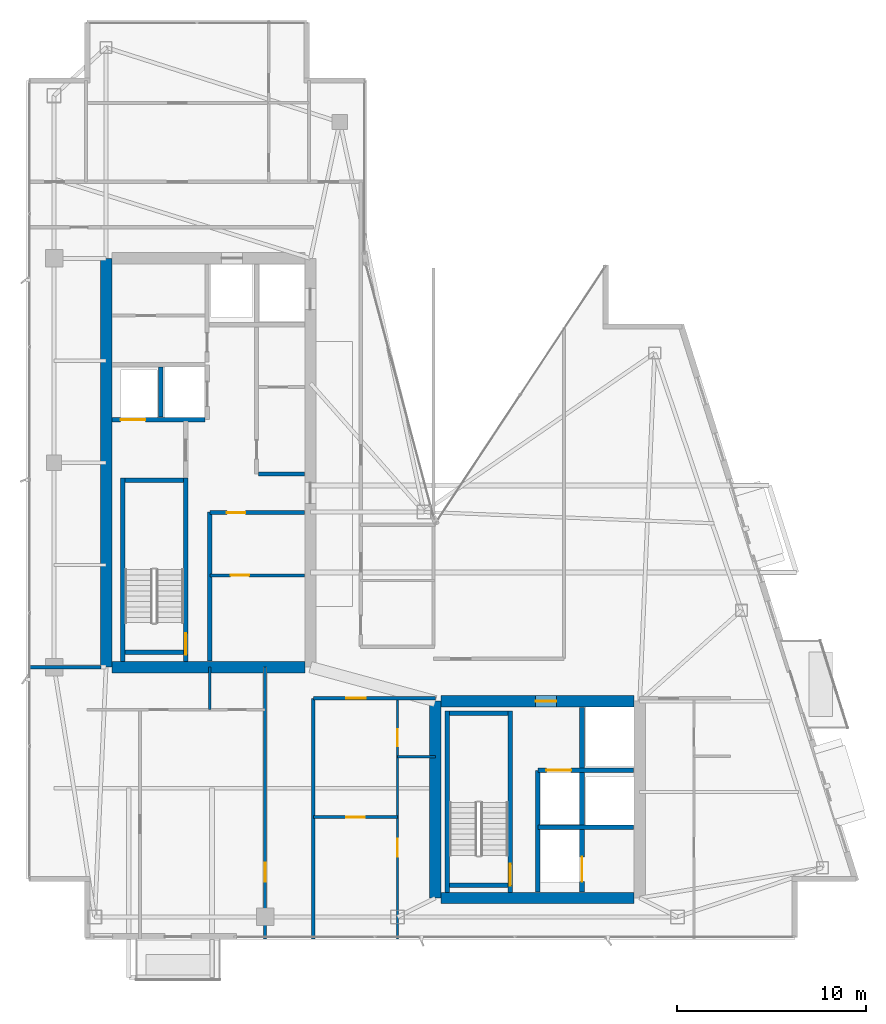
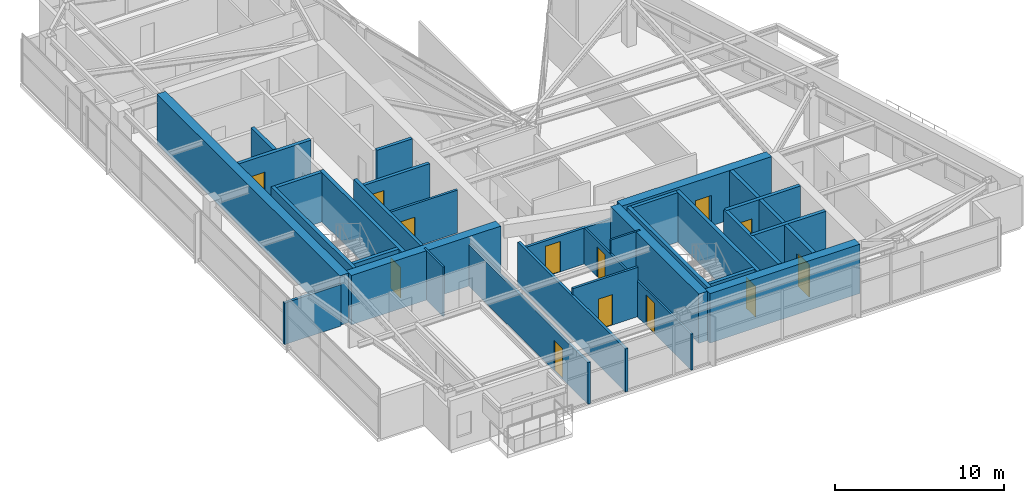
# One storey, part 23 of 28: 31 walls, 13 doors, 13 openings.
"""IFC4 building model written with IfcOpenShell, lengths in metres."""

from ifc_helpers import new_model, si_unit, direction, frame, frame_2d, origin, place, context, subcontext, project, spatial, rectangle, extrude, material, layer, layer_set, type_object, element, fill, save


model = new_model("IFC4")

# Units and contexts
model_context = context("Model", 3, precision=1e-05, world=origin(), true_north=direction((0.0, 1.0)))
body_context = subcontext(model_context, "Body", "Model", "MODEL_VIEW")
ifc_project = project(units=[si_unit("LENGTHUNIT", "METRE"), si_unit("AREAUNIT", "SQUARE_METRE"), si_unit("VOLUMEUNIT", "CUBIC_METRE"), si_unit("PLANEANGLEUNIT", "RADIAN"), si_unit("MASSUNIT", "GRAM", prefix="KILO")], contexts=[model_context])

# Site, building, storey
site_placement = place(None, origin())
site = spatial("IfcSite", under=ifc_project, at=site_placement, CompositionType="ELEMENT")
building_placement = place(site_placement, origin())
building = spatial("IfcBuilding", under=site, at=building_placement, Name="Calvorn Quay Hotel", CompositionType="ELEMENT")
storey_placement = place(building_placement, frame((0.0, 0.0, 274.89990234375)))
storey = spatial("IfcBuildingStorey", under=building, at=storey_placement, Name="L68", CompositionType="ELEMENT", Elevation=274.89990234375)

# Walls
ifc_material_1 = material(Name="Concrete C45", Category="concrete")
ifc_layer_1 = layer(ifc_material_1, 0.60009765625)
ifc_layer_set_1 = layer_set([ifc_layer_1], Name="WL-CORE-600")
wall_type_1 = type_object("IfcWallType", Name="WL-CORE-600", PredefinedType="SHEAR", material=ifc_layer_set_1)
wall_1_placement = place(storey_placement, frame((4.199951171875, 16.800048828125, 0.0), z_axis=(0.0, 0.0, 1.0), x_axis=(0.0, 1.0, 0.0)))
element("IfcWall", 1, at=wall_1_placement, inside=storey, type_object=wall_type_1, Name="West Core Shear Wall W (L68)", PredefinedType="SHEAR", context=body_context, shape_type="SweptSolid", body=[
    extrude(rectangle(XDim=21.599853515625, YDim=0.60009765625, at=frame_2d((10.7998046875, 0.0))), origin(), (0.0, 0.0, 1.0), 3.56005859375),
])
wall_2_placement = place(storey_placement, frame((4.5, 16.800048828125, 0.0), z_axis=(0.0, 0.0, 1.0), x_axis=(1.0, 0.0, 0.0)))
element("IfcWall", 2, at=wall_2_placement, inside=storey, type_object=wall_type_1, Name="West Core Shear Wall S (L68)", PredefinedType="SHEAR", context=body_context, shape_type="SweptSolid", body=[
    extrude(rectangle(XDim=10.199951171875, YDim=0.60009765625, at=frame_2d((5.10009765625, 0.0))), origin(), (0.0, 0.0, 1.0), 3.56005859375),
])
wall_3_placement = place(storey_placement, frame((21.60009765625, 4.60009765625, 0.0), z_axis=(0.0, 0.0, 1.0), x_axis=(0.0, 1.0, 0.0)))
element("IfcWall", 3, at=wall_3_placement, inside=storey, type_object=wall_type_1, Name="East Core Shear Wall W (L68)", PredefinedType="SHEAR", context=body_context, shape_type="SweptSolid", body=[
    extrude(rectangle(XDim=10.39990234375, YDim=0.60009765625, at=frame_2d((5.199951171875, 0.0))), origin(), (0.0, 0.0, 1.0), 3.56005859375),
])

# Wall, opening, door
wall_4_placement = place(storey_placement, frame((21.89990234375, 15.0, 0.0), z_axis=(0.0, 0.0, 1.0), x_axis=(1.0, 0.0, 0.0)))
wall_4 = element("IfcWall", 4, at=wall_4_placement, inside=storey, type_object=wall_type_1, Name="East Core Shear Wall N (L68)", PredefinedType="SHEAR", context=body_context, shape_type="SweptSolid", body=[
    extrude(rectangle(XDim=10.2001953125, YDim=0.60009765625, at=frame_2d((5.10009765625, 0.0))), origin(), (0.0, 0.0, 1.0), 3.56005859375),
])
opening_1_placement = place(wall_4_placement, frame((5.0, 0.0, 0.0)))
opening_1 = element("IfcOpeningElement", 5, at=opening_1_placement, cuts=wall_4, Name="Opening D-L68-FLE", PredefinedType="OPENING", context=body_context, shape_type="SweptSolid", body=[
    extrude(rectangle(XDim=1.10009765625, YDim=2.199951171875, at=frame_2d((0.550048828125, 1.10009765625))), frame((0.0, 0.31005859375, 0.0), z_axis=(0.0, -1.0, 0.0), x_axis=(1.0, 0.0, 0.0)), (0.0, 0.0, 1.0), 0.6201171875),
])
ifc_material_2 = material(Name="Smoke-Sealed Steel Class A Fire Door", Category="steel")
door_type_1 = type_object("IfcDoorType", Name="DR-FFLOBBY-1100", OperationType="NOTDEFINED", PredefinedType="DOOR", material=ifc_material_2)
door_1_placement = place(opening_1_placement, origin())
door_1 = element("IfcDoor", 6, at=door_1_placement, inside=storey, type_object=door_type_1, Name="East Firefighting Lobby Fire Door (L68)", OperationType="SINGLE_SWING_RIGHT", OverallHeight=2.199951171875, OverallWidth=1.10009765625, PredefinedType="DOOR", context=body_context, shape_type="SweptSolid", body=[
    extrude(rectangle(XDim=1.10009765625, YDim=2.199951171875, at=frame_2d((0.550048828125, 1.10009765625))), frame((0.0, 0.02490234375, 0.0), z_axis=(0.0, -1.0, 0.0), x_axis=(1.0, 0.0, 0.0)), (0.0, 0.0, 1.0), 0.050048828125),
])
fill(opening_1, door_1)

# Walls
wall_5_placement = place(storey_placement, frame((21.89990234375, 4.60009765625, 0.0), z_axis=(0.0, 0.0, 1.0), x_axis=(1.0, 0.0, 0.0)))
element("IfcWall", 7, at=wall_5_placement, inside=storey, type_object=wall_type_1, Name="East Core Shear Wall S (L68)", PredefinedType="SHEAR", context=body_context, shape_type="SweptSolid", body=[
    extrude(rectangle(XDim=10.2001953125, YDim=0.60009765625, at=frame_2d((5.10009765625, 0.0))), origin(), (0.0, 0.0, 1.0), 3.56005859375),
])
ifc_material_3 = material(Name="Acoustic Fireboard Steel-Stud Partition", Category="steel")
ifc_layer_2 = layer(ifc_material_3, 0.179931640625)
ifc_layer_set_2 = layer_set([ifc_layer_2], Name="WL-CORR-FIRE-180")
wall_type_2 = type_object("IfcWallType", Name="WL-CORR-FIRE-180", PredefinedType="PARTITIONING", material=ifc_layer_set_2)
wall_6_placement = place(storey_placement, frame((0.080078125, 16.800048828125, 0.0), z_axis=(0.0, 0.0, 1.0), x_axis=(1.0, 0.0, 0.0)))
element("IfcWall", 8, at=wall_6_placement, inside=storey, type_object=wall_type_2, Name="Partition Wall L68-WL-WBAY-S-WALL", PredefinedType="PARTITIONING", context=body_context, shape_type="SweptSolid", body=[
    extrude(rectangle(XDim=3.849853515625, YDim=0.179931640625, at=frame_2d((1.9248046875, 0.0))), origin(), (0.0, 0.0, 1.0), 2.989990234375),
])

# Wall, opening, door
wall_7_placement = place(storey_placement, frame((12.60009765625, 2.43994140625, 0.0), z_axis=(0.0, 0.0, 1.0), x_axis=(0.0, 1.0, 0.0)))
wall_7 = element("IfcWall", 9, at=wall_7_placement, inside=storey, type_object=wall_type_2, Name="Partition Wall L68-WL-CORR-SW-LEG-W", PredefinedType="PARTITIONING", context=body_context, shape_type="SweptSolid", body=[
    extrude(rectangle(XDim=14.360107421875, YDim=0.179931640625, at=frame_2d((7.18017578125, 0.0))), origin(), (0.0, 0.0, 1.0), 2.989990234375),
])
opening_2_placement = place(wall_7_placement, frame((3.010009765625, 0.0, 0.0)))
opening_2 = element("IfcOpeningElement", 10, at=opening_2_placement, cuts=wall_7, Name="Opening D-L68-U01", PredefinedType="OPENING", context=body_context, shape_type="SweptSolid", body=[
    extrude(rectangle(XDim=1.02001953125, YDim=2.199951171875, at=frame_2d((0.510009765625, 1.10009765625))), frame((0.0, 0.099853515625, 0.0), z_axis=(0.0, -1.0, 0.0), x_axis=(1.0, 0.0, 0.0)), (0.0, 0.0, 1.0), 0.199951171875),
])
ifc_material_4 = material(Name="Solid-Core Walnut Veneer Hotel Fire Door")
door_type_2 = type_object("IfcDoorType", Name="DR-GUEST-ENTRY-1020", OperationType="NOTDEFINED", PredefinedType="DOOR", material=ifc_material_4)
door_2_placement = place(opening_2_placement, origin())
door_2 = element("IfcDoor", 11, at=door_2_placement, inside=storey, type_object=door_type_2, Name="South-West Unit Door U01 (L68)", OperationType="SINGLE_SWING_LEFT", OverallHeight=2.199951171875, OverallWidth=1.02001953125, PredefinedType="DOOR", context=body_context, shape_type="SweptSolid", body=[
    extrude(rectangle(XDim=1.02001953125, YDim=2.199951171875, at=frame_2d((0.510009765625, 1.10009765625))), frame((0.0, 0.02490234375, 0.0), z_axis=(0.0, -1.0, 0.0), x_axis=(1.0, 0.0, 0.0)), (0.0, 0.0, 1.0), 0.050048828125),
])
fill(opening_2, door_2)

# Wall
wall_8_placement = place(storey_placement, frame((15.14990234375, 2.43994140625, 0.0), z_axis=(0.0, 0.0, 1.0), x_axis=(0.0, 1.0, 0.0)))
element("IfcWall", 12, at=wall_8_placement, inside=storey, type_object=wall_type_2, Name="Partition Wall L68-WL-CORR-SW-W", PredefinedType="PARTITIONING", context=body_context, shape_type="SweptSolid", body=[
    extrude(rectangle(XDim=12.7099609375, YDim=0.179931640625, at=frame_2d((6.35498046875, 0.0))), origin(), (0.0, 0.0, 1.0), 3.090087890625),
])

# Wall, opening, door
wall_9_placement = place(storey_placement, frame((15.14990234375, 15.14990234375, 0.0), z_axis=(0.0, 0.0, 1.0), x_axis=(1.0, 0.0, 0.0)))
wall_9 = element("IfcWall", 13, at=wall_9_placement, inside=storey, type_object=wall_type_2, Name="Partition Wall L68-WL-SC-CORR-S", PredefinedType="PARTITIONING", context=body_context, shape_type="SweptSolid", body=[
    extrude(rectangle(XDim=6.4501953125, YDim=0.179931640625, at=frame_2d((3.22509765625, 0.0))), origin(), (0.0, 0.0, 1.0), 2.590087890625),
])
opening_3_placement = place(wall_9_placement, frame((1.739990234375, 0.0, 0.0)))
opening_3 = element("IfcOpeningElement", 14, at=opening_3_placement, cuts=wall_9, Name="Opening D-L68-U02", PredefinedType="OPENING", context=body_context, shape_type="SweptSolid", body=[
    extrude(rectangle(XDim=1.02001953125, YDim=2.199951171875, at=frame_2d((0.510009765625, 1.10009765625))), frame((0.0, 0.099853515625, 0.0), z_axis=(0.0, -1.0, 0.0), x_axis=(1.0, 0.0, 0.0)), (0.0, 0.0, 1.0), 0.199951171875),
])
door_3_placement = place(opening_3_placement, origin())
door_3 = element("IfcDoor", 15, at=door_3_placement, inside=storey, type_object=door_type_2, Name="Harbour Central Unit Door (L68)", OperationType="SINGLE_SWING_LEFT", OverallHeight=2.199951171875, OverallWidth=1.02001953125, PredefinedType="DOOR", context=body_context, shape_type="SweptSolid", body=[
    extrude(rectangle(XDim=1.02001953125, YDim=2.199951171875, at=frame_2d((0.510009765625, 1.10009765625))), frame((0.0, 0.02490234375, 0.0), z_axis=(0.0, -1.0, 0.0), x_axis=(1.0, 0.0, 0.0)), (0.0, 0.0, 1.0), 0.050048828125),
])
fill(opening_3, door_3)

# Walls
ifc_material_5 = material(Name="Moisture-Resistant Tile-Backed Partition")
ifc_layer_3 = layer(ifc_material_5, 0.125)
ifc_layer_set_3 = layer_set([ifc_layer_3], Name="WL-ENSUITE-125")
wall_type_3 = type_object("IfcWallType", Name="WL-ENSUITE-125", PredefinedType="PARTITIONING", material=ifc_layer_set_3)
wall_10_placement = place(storey_placement, frame((9.679931640625, 14.550048828125, 0.0), z_axis=(0.0, 0.0, 1.0), x_axis=(0.0, 1.0, 0.0)))
element("IfcWall", 16, at=wall_10_placement, inside=storey, type_object=wall_type_3, Name="Partition Wall L68-WL-U01-BDV", PredefinedType="PARTITIONING", context=body_context, shape_type="SweptSolid", body=[
    extrude(rectangle(XDim=2.25, YDim=0.125, at=frame_2d((1.125, 0.0))), origin(), (0.0, 0.0, 1.0), 3.56005859375),
])
wall_11_placement = place(storey_placement, frame((19.60009765625, 12.070068359375, 0.0), z_axis=(0.0, 0.0, 1.0), x_axis=(1.0, 0.0, 0.0)))
element("IfcWall", 17, at=wall_11_placement, inside=storey, type_object=wall_type_3, Name="Partition Wall L68-WL-U02-BDV", PredefinedType="PARTITIONING", context=body_context, shape_type="SweptSolid", body=[
    extrude(rectangle(XDim=2.0, YDim=0.125, at=frame_2d((1.0, 0.0))), origin(), (0.0, 0.0, 1.0), 3.56005859375),
])

# Wall, openings, doors
wall_12_placement = place(storey_placement, frame((19.60009765625, 2.43994140625, 0.0), z_axis=(0.0, 0.0, 1.0), x_axis=(0.0, 1.0, 0.0)))
wall_12 = element("IfcWall", 18, at=wall_12_placement, inside=storey, type_object=wall_type_3, Name="Partition Wall L68-WL-U02-BV", PredefinedType="PARTITIONING", context=body_context, shape_type="SweptSolid", body=[
    extrude(rectangle(XDim=12.7099609375, YDim=0.125, at=frame_2d((6.35498046875, 0.0))), origin(), (0.0, 0.0, 1.0), 2.590087890625),
])
opening_4_placement = place(wall_12_placement, frame((4.340087890625, 0.0, 0.0)))
opening_4 = element("IfcOpeningElement", 19, at=opening_4_placement, cuts=wall_12, Name="Opening D-L68-S02", PredefinedType="OPENING", context=body_context, shape_type="SweptSolid", body=[
    extrude(rectangle(XDim=0.9599609375, YDim=2.199951171875, at=frame_2d((0.47998046875, 1.10009765625))), frame((0.0, 0.072509765625, 0.0), z_axis=(0.0, -1.0, 0.0), x_axis=(1.0, 0.0, 0.0)), (0.0, 0.0, 1.0), 0.14501953125),
])
opening_5_placement = place(wall_12_placement, frame((10.179931640625, 0.0, 0.0)))
opening_5 = element("IfcOpeningElement", 20, at=opening_5_placement, cuts=wall_12, Name="Opening D-L68-E02", PredefinedType="OPENING", context=body_context, shape_type="SweptSolid", body=[
    extrude(rectangle(XDim=0.89990234375, YDim=2.14990234375, at=frame_2d((0.449951171875, 1.074951171875))), frame((0.0, 0.072509765625, 0.0), z_axis=(0.0, -1.0, 0.0), x_axis=(1.0, 0.0, 0.0)), (0.0, 0.0, 1.0), 0.14501953125),
])
ifc_material_6 = material(Name="Moisture-Sealed Timber En-Suite Door", Category="wood")
door_type_3 = type_object("IfcDoorType", Name="DR-ENSUITE-900", OperationType="NOTDEFINED", PredefinedType="DOOR", material=ifc_material_6)
door_4_placement = place(opening_5_placement, origin())
door_4 = element("IfcDoor", 21, at=door_4_placement, inside=storey, type_object=door_type_3, Name="En-Suite Door 02", OperationType="SINGLE_SWING_RIGHT", OverallHeight=2.14990234375, OverallWidth=0.89990234375, PredefinedType="DOOR", context=body_context, shape_type="SweptSolid", body=[
    extrude(rectangle(XDim=0.89990234375, YDim=2.14990234375, at=frame_2d((0.449951171875, 1.074951171875))), frame((0.0, 0.02490234375, 0.0), z_axis=(0.0, -1.0, 0.0), x_axis=(1.0, 0.0, 0.0)), (0.0, 0.0, 1.0), 0.050048828125),
])
fill(opening_5, door_4)
ifc_material_7 = material(Name="Solid Timber Internal Suite Door", Category="wood")
door_type_4 = type_object("IfcDoorType", Name="DR-SUITE-INT-960", OperationType="NOTDEFINED", PredefinedType="DOOR", material=ifc_material_7)
door_5_placement = place(opening_4_placement, origin())
door_5 = element("IfcDoor", 22, at=door_5_placement, inside=storey, type_object=door_type_4, Name="Executive Study Door 02", OperationType="SINGLE_SWING_LEFT", OverallHeight=2.199951171875, OverallWidth=0.9599609375, PredefinedType="DOOR", context=body_context, shape_type="SweptSolid", body=[
    extrude(rectangle(XDim=0.9599609375, YDim=2.199951171875, at=frame_2d((0.47998046875, 1.10009765625))), frame((0.0, 0.02490234375, 0.0), z_axis=(0.0, -1.0, 0.0), x_axis=(1.0, 0.0, 0.0)), (0.0, 0.0, 1.0), 0.050048828125),
])
fill(opening_4, door_5)

# Wall, opening, door
ifc_material_8 = material(Name="Double-Stud Acoustic Gypsum Partition")
ifc_layer_4 = layer(ifc_material_8, 0.159912109375)
ifc_layer_set_4 = layer_set([ifc_layer_4], Name="WL-INTERSUITE-160")
wall_type_4 = type_object("IfcWallType", Name="WL-INTERSUITE-160", PredefinedType="PARTITIONING", material=ifc_layer_set_4)
wall_13_placement = place(storey_placement, frame((9.679931640625, 21.64990234375, 0.0), z_axis=(0.0, 0.0, 1.0), x_axis=(1.0, 0.0, 0.0)))
wall_13 = element("IfcWall", 23, at=wall_13_placement, inside=storey, type_object=wall_type_4, Name="Partition Wall L68-WL-CWW-FR-SPLIT", PredefinedType="PARTITIONING", context=body_context, shape_type="SweptSolid", body=[
    extrude(rectangle(XDim=5.0, YDim=0.159912109375, at=frame_2d((2.5, 0.0))), origin(), (0.0, 0.0, 1.0), 3.090087890625),
])
opening_6_placement = place(wall_13_placement, frame((1.10009765625, 0.0, 0.0)))
opening_6 = element("IfcOpeningElement", 24, at=opening_6_placement, cuts=wall_13, Name="Opening D-L68-FRL1", PredefinedType="OPENING", context=body_context, shape_type="SweptSolid", body=[
    extrude(rectangle(XDim=0.97998046875, YDim=2.14990234375, at=frame_2d((0.489990234375, 1.074951171875))), frame((0.0, 0.08984375, 0.0), z_axis=(0.0, -1.0, 0.0), x_axis=(1.0, 0.0, 0.0)), (0.0, 0.0, 1.0), 0.179931640625),
])
ifc_material_9 = material(Name="Painted Steel Housekeeping/Riser Fire Door", Category="steel")
door_type_5 = type_object("IfcDoorType", Name="DR-SERVICE-980", OperationType="NOTDEFINED", PredefinedType="DOOR", material=ifc_material_9)
door_6_placement = place(opening_6_placement, origin())
door_6 = element("IfcDoor", 25, at=door_6_placement, inside=storey, type_object=door_type_5, Name="Linen Store Room Door (L68)", OperationType="SINGLE_SWING_LEFT", OverallHeight=2.14990234375, OverallWidth=0.97998046875, PredefinedType="DOOR", context=body_context, shape_type="SweptSolid", body=[
    extrude(rectangle(XDim=0.97998046875, YDim=2.14990234375, at=frame_2d((0.489990234375, 1.074951171875))), frame((0.0, 0.02490234375, 0.0), z_axis=(0.0, -1.0, 0.0), x_axis=(1.0, 0.0, 0.0)), (0.0, 0.0, 1.0), 0.050048828125),
])
fill(opening_6, door_6)

wall_14_placement = place(storey_placement, frame((15.14990234375, 8.8701171875, 0.0), z_axis=(0.0, 0.0, 1.0), x_axis=(1.0, 0.0, 0.0)))
wall_14 = element("IfcWall", 26, at=wall_14_placement, inside=storey, type_object=wall_type_4, Name="Partition Wall L68-WL-U02-MSP", PredefinedType="PARTITIONING", context=body_context, shape_type="SweptSolid", body=[
    extrude(rectangle(XDim=4.4501953125, YDim=0.159912109375, at=frame_2d((2.22509765625, 0.0))), origin(), (0.0, 0.0, 1.0), 3.56005859375),
])
opening_7_placement = place(wall_14_placement, frame((1.75, 0.0, 0.0)))
opening_7 = element("IfcOpeningElement", 27, at=opening_7_placement, cuts=wall_14, Name="Opening D-L68-M02", PredefinedType="OPENING", context=body_context, shape_type="SweptSolid", body=[
    extrude(rectangle(XDim=0.9599609375, YDim=2.199951171875, at=frame_2d((0.47998046875, 1.10009765625))), frame((0.0, 0.08984375, 0.0), z_axis=(0.0, -1.0, 0.0), x_axis=(1.0, 0.0, 0.0)), (0.0, 0.0, 1.0), 0.179931640625),
])
door_7_placement = place(opening_7_placement, origin())
door_7 = element("IfcDoor", 28, at=door_7_placement, inside=storey, type_object=door_type_4, Name="Suite Bedroom Door 02", OperationType="SINGLE_SWING_LEFT", OverallHeight=2.199951171875, OverallWidth=0.9599609375, PredefinedType="DOOR", context=body_context, shape_type="SweptSolid", body=[
    extrude(rectangle(XDim=0.9599609375, YDim=2.199951171875, at=frame_2d((0.47998046875, 1.10009765625))), frame((0.0, 0.02490234375, 0.0), z_axis=(0.0, -1.0, 0.0), x_axis=(1.0, 0.0, 0.0)), (0.0, 0.0, 1.0), 0.050048828125),
])
fill(opening_7, door_7)

# Wall
ifc_material_10 = material(Name="Autoclaved Aerated Masonry Block", Category="masonry")
ifc_layer_5 = layer(ifc_material_10, 0.219970703125)
ifc_layer_set_5 = layer_set([ifc_layer_5], Name="WL-LOBBY-FIRE-220")
wall_type_5 = type_object("IfcWallType", Name="WL-LOBBY-FIRE-220", PredefinedType="SOLIDWALL", material=ifc_layer_set_5)
wall_15_placement = place(storey_placement, frame((9.679931640625, 17.1201171875, 0.0), z_axis=(0.0, 0.0, 1.0), x_axis=(0.0, 1.0, 0.0)))
element("IfcWall", 29, at=wall_15_placement, inside=storey, type_object=wall_type_5, Name="Partition Wall L68-WL-CWW-STW-HALL-E", PredefinedType="SOLIDWALL", context=body_context, shape_type="SweptSolid", body=[
    extrude(rectangle(XDim=7.8798828125, YDim=0.219970703125, at=frame_2d((3.93994140625, 0.0))), origin(), (0.0, 0.0, 1.0), 3.56005859375),
])

# Wall, opening, door
wall_16_placement = place(storey_placement, frame((9.679931640625, 24.969970703125, 0.0), z_axis=(0.0, 0.0, 1.0), x_axis=(1.0, 0.0, 0.0)))
wall_16 = element("IfcWall", 30, at=wall_16_placement, inside=storey, type_object=wall_type_5, Name="Partition Wall L68-WL-CWW-FR-N", PredefinedType="SOLIDWALL", context=body_context, shape_type="SweptSolid", body=[
    extrude(rectangle(XDim=5.0, YDim=0.219970703125, at=frame_2d((2.5, 0.0))), origin(), (0.0, 0.0, 1.0), 2.989990234375),
])
opening_8_placement = place(wall_16_placement, frame((0.89990234375, 0.0, 0.0)))
opening_8 = element("IfcOpeningElement", 31, at=opening_8_placement, cuts=wall_16, Name="Opening D-L68-FRL2", PredefinedType="OPENING", context=body_context, shape_type="SweptSolid", body=[
    extrude(rectangle(XDim=0.97998046875, YDim=2.14990234375, at=frame_2d((0.489990234375, 1.074951171875))), frame((0.0, 0.119873046875, 0.0), z_axis=(0.0, -1.0, 0.0), x_axis=(1.0, 0.0, 0.0)), (0.0, 0.0, 1.0), 0.239990234375),
])
door_8_placement = place(opening_8_placement, origin())
door_8 = element("IfcDoor", 32, at=door_8_placement, inside=storey, type_object=door_type_5, Name="Beverage Pantry Door (L68)", OperationType="SINGLE_SWING_RIGHT", OverallHeight=2.14990234375, OverallWidth=0.97998046875, PredefinedType="DOOR", context=body_context, shape_type="SweptSolid", body=[
    extrude(rectangle(XDim=0.97998046875, YDim=2.14990234375, at=frame_2d((0.489990234375, 1.074951171875))), frame((0.0, 0.02490234375, 0.0), z_axis=(0.0, -1.0, 0.0), x_axis=(1.0, 0.0, 0.0)), (0.0, 0.0, 1.0), 0.050048828125),
])
fill(opening_8, door_8)

# Walls
wall_17_placement = place(storey_placement, frame((12.25, 27.0, 0.0), z_axis=(0.0, 0.0, 1.0), x_axis=(1.0, 0.0, 0.0)))
element("IfcWall", 33, at=wall_17_placement, inside=storey, type_object=wall_type_5, Name="Partition Wall L68-WL-CWW-FM-S", PredefinedType="SOLIDWALL", context=body_context, shape_type="SweptSolid", body=[
    extrude(rectangle(XDim=2.429931640625, YDim=0.219970703125, at=frame_2d((1.21484375, 0.0))), origin(), (0.0, 0.0, 1.0), 3.56005859375),
])
ifc_material_11 = material(Name="Concrete C40", Category="concrete")
ifc_layer_6 = layer(ifc_material_11, 0.239990234375)
ifc_layer_set_6 = layer_set([ifc_layer_6], Name="WL-SHAFT-240")
wall_type_6 = type_object("IfcWallType", Name="WL-SHAFT-240", PredefinedType="SOLIDWALL", material=ifc_layer_set_6)
wall_18_placement = place(storey_placement, frame((5.080078125, 17.10009765625, 0.0), z_axis=(0.0, 0.0, 1.0), x_axis=(0.0, 1.0, 0.0)))
element("IfcWall", 34, at=wall_18_placement, inside=storey, type_object=wall_type_6, Name="Stair STW Shaft Wall W (L68)", PredefinedType="SOLIDWALL", context=body_context, shape_type="SweptSolid", body=[
    extrude(rectangle(XDim=9.68994140625, YDim=0.239990234375, at=frame_2d((4.844970703125, 0.0))), origin(), (0.0, 0.0, 1.0), 3.56005859375),
])

# Wall, opening, door
wall_19_placement = place(storey_placement, frame((8.419921875, 17.10009765625, 0.0), z_axis=(0.0, 0.0, 1.0), x_axis=(0.0, 1.0, 0.0)))
wall_19 = element("IfcWall", 35, at=wall_19_placement, inside=storey, type_object=wall_type_6, Name="Stair STW Shaft Wall E (L68)", PredefinedType="SOLIDWALL", context=body_context, shape_type="SweptSolid", body=[
    extrude(rectangle(XDim=9.68994140625, YDim=0.239990234375, at=frame_2d((4.844970703125, 0.0))), origin(), (0.0, 0.0, 1.0), 3.56005859375),
])
opening_9_placement = place(wall_19_placement, frame((0.35009765625, 0.0, 0.0)))
opening_9 = element("IfcOpeningElement", 36, at=opening_9_placement, cuts=wall_19, Name="Opening D-L68-STW", PredefinedType="OPENING", context=body_context, shape_type="SweptSolid", body=[
    extrude(rectangle(XDim=1.14990234375, YDim=2.199951171875, at=frame_2d((0.574951171875, 1.10009765625))), frame((0.0, 0.1298828125, 0.0), z_axis=(0.0, -1.0, 0.0), x_axis=(1.0, 0.0, 0.0)), (0.0, 0.0, 1.0), 0.260009765625),
])
ifc_material_12 = material(Name="Galvanised Steel Class A Fire Door", Category="steel")
door_type_6 = type_object("IfcDoorType", Name="DR-STAIR-SMOKE-1150", OperationType="NOTDEFINED", PredefinedType="DOOR", material=ifc_material_12)
door_9_placement = place(opening_9_placement, origin())
door_9 = element("IfcDoor", 37, at=door_9_placement, inside=storey, type_object=door_type_6, Name="Stair ST-W Fire Door (L68)", OperationType="SINGLE_SWING_LEFT", OverallHeight=2.199951171875, OverallWidth=1.14990234375, PredefinedType="DOOR", context=body_context, shape_type="SweptSolid", body=[
    extrude(rectangle(XDim=1.14990234375, YDim=2.199951171875, at=frame_2d((0.574951171875, 1.10009765625))), frame((0.0, 0.02490234375, 0.0), z_axis=(0.0, -1.0, 0.0), x_axis=(1.0, 0.0, 0.0)), (0.0, 0.0, 1.0), 0.050048828125),
])
fill(opening_9, door_9)

# Walls
for number, where, z_axis, x_axis, name in (
    (38, (5.199951171875, 17.580078125, 0.0), (0.0, 0.0, 1.0), (1.0, 0.0, 0.0), "Stair STW Shaft Wall S (L68)"),
    (39, (5.199951171875, 26.669921875, 0.0), (0.0, 0.0, 1.0), (1.0, 0.0, 0.0), "Stair STW Shaft Wall N (L68)"),
):
    element("IfcWall", number, at=place(storey_placement, frame(where, z_axis=z_axis, x_axis=x_axis)), inside=storey, type_object=wall_type_6, Name=name, PredefinedType="SOLIDWALL", context=body_context, shape_type="SweptSolid", body=[
        extrude(rectangle(XDim=3.10009765625, YDim=0.239990234375, at=frame_2d((1.550048828125, 0.0))), origin(), (0.0, 0.0, 1.0), 3.56005859375),
    ])
wall_20_placement = place(storey_placement, frame((22.22998046875, 4.89990234375, 0.0), z_axis=(0.0, 0.0, 1.0), x_axis=(0.0, 1.0, 0.0)))
element("IfcWall", 40, at=wall_20_placement, inside=storey, type_object=wall_type_6, Name="Stair STE Shaft Wall W (L68)", PredefinedType="SOLIDWALL", context=body_context, shape_type="SweptSolid", body=[
    extrude(rectangle(XDim=9.590087890625, YDim=0.239990234375, at=frame_2d((4.794921875, 0.0))), origin(), (0.0, 0.0, 1.0), 3.56005859375),
])

# Wall, opening, door
wall_21_placement = place(storey_placement, frame((25.570068359375, 4.89990234375, 0.0), z_axis=(0.0, 0.0, 1.0), x_axis=(0.0, 1.0, 0.0)))
wall_21 = element("IfcWall", 41, at=wall_21_placement, inside=storey, type_object=wall_type_6, Name="Stair STE Shaft Wall E (L68)", PredefinedType="SOLIDWALL", context=body_context, shape_type="SweptSolid", body=[
    extrude(rectangle(XDim=9.590087890625, YDim=0.239990234375, at=frame_2d((4.794921875, 0.0))), origin(), (0.0, 0.0, 1.0), 3.56005859375),
])
opening_10_placement = place(wall_21_placement, frame((0.35009765625, 0.0, 0.0)))
opening_10 = element("IfcOpeningElement", 42, at=opening_10_placement, cuts=wall_21, Name="Opening D-L68-STE", PredefinedType="OPENING", context=body_context, shape_type="SweptSolid", body=[
    extrude(rectangle(XDim=1.14990234375, YDim=2.199951171875, at=frame_2d((0.574951171875, 1.10009765625))), frame((0.0, 0.1298828125, 0.0), z_axis=(0.0, -1.0, 0.0), x_axis=(1.0, 0.0, 0.0)), (0.0, 0.0, 1.0), 0.260009765625),
])
door_10_placement = place(opening_10_placement, origin())
door_10 = element("IfcDoor", 43, at=door_10_placement, inside=storey, type_object=door_type_6, Name="Stair ST-E Fire Door (L68)", OperationType="SINGLE_SWING_RIGHT", OverallHeight=2.199951171875, OverallWidth=1.14990234375, PredefinedType="DOOR", context=body_context, shape_type="SweptSolid", body=[
    extrude(rectangle(XDim=1.14990234375, YDim=2.199951171875, at=frame_2d((0.574951171875, 1.10009765625))), frame((0.0, 0.02490234375, 0.0), z_axis=(0.0, -1.0, 0.0), x_axis=(1.0, 0.0, 0.0)), (0.0, 0.0, 1.0), 0.050048828125),
])
fill(opening_10, door_10)

# Walls
for number, where, z_axis, x_axis, name in (
    (44, (22.35009765625, 5.280029296875, 0.0), (0.0, 0.0, 1.0), (1.0, 0.0, 0.0), "Stair STE Shaft Wall S (L68)"),
    (45, (22.35009765625, 14.3701171875, 0.0), (0.0, 0.0, 1.0), (1.0, 0.0, 0.0), "Stair STE Shaft Wall N (L68)"),
):
    element("IfcWall", number, at=place(storey_placement, frame(where, z_axis=z_axis, x_axis=x_axis)), inside=storey, type_object=wall_type_6, Name=name, PredefinedType="SOLIDWALL", context=body_context, shape_type="SweptSolid", body=[
        extrude(rectangle(XDim=3.099853515625, YDim=0.239990234375, at=frame_2d((1.5498046875, 0.0))), origin(), (0.0, 0.0, 1.0), 3.56005859375),
    ])

# Wall, opening, door
wall_22_placement = place(storey_placement, frame((4.52001953125, 29.8798828125, 0.0), z_axis=(0.0, 0.0, 1.0), x_axis=(1.0, 0.0, 0.0)))
wall_22 = element("IfcWall", 46, at=wall_22_placement, inside=storey, type_object=wall_type_6, Name="Partition Wall L68-WL-CWW-FLW-S", PredefinedType="SOLIDWALL", context=body_context, shape_type="SweptSolid", body=[
    extrude(rectangle(XDim=4.89990234375, YDim=0.239990234375, at=frame_2d((2.449951171875, 0.0))), origin(), (0.0, 0.0, 1.0), 3.56005859375),
])
opening_11_placement = place(wall_22_placement, frame((0.449951171875, 0.0, 0.0)))
opening_11 = element("IfcOpeningElement", 47, at=opening_11_placement, cuts=wall_22, Name="Opening LD-L68-FLW1", PredefinedType="OPENING", context=body_context, shape_type="SweptSolid", body=[
    extrude(rectangle(XDim=1.300048828125, YDim=2.35009765625, at=frame_2d((0.64990234375, 1.175048828125))), frame((0.0, 0.1298828125, 0.0), z_axis=(0.0, -1.0, 0.0), x_axis=(1.0, 0.0, 0.0)), (0.0, 0.0, 1.0), 0.260009765625),
])
ifc_material_13 = material(Name="Champagne-Bronze Sliding Express Lift Landing Door")
door_type_7 = type_object("IfcDoorType", Name="DR-LIFT-SHUTTLE-1300", OperationType="NOTDEFINED", PredefinedType="DOOR", material=ifc_material_13)
door_11_placement = place(opening_11_placement, origin())
door_11 = element("IfcDoor", 48, at=door_11_placement, inside=storey, type_object=door_type_7, Name="Firefighting Lift FL-W1 Landing Door (L68)", OperationType="DOUBLE_DOOR_SLIDING", OverallHeight=2.35009765625, OverallWidth=1.300048828125, PredefinedType="DOOR", context=body_context, shape_type="SweptSolid", body=[
    extrude(rectangle(XDim=1.300048828125, YDim=2.35009765625, at=frame_2d((0.64990234375, 1.175048828125))), frame((0.0, 0.02490234375, 0.0), z_axis=(0.0, -1.0, 0.0), x_axis=(1.0, 0.0, 0.0)), (0.0, 0.0, 1.0), 0.050048828125),
])
fill(opening_11, door_11)

# Walls
wall_23_placement = place(storey_placement, frame((7.10009765625, 30.02001953125, 0.0), z_axis=(0.0, 0.0, 1.0), x_axis=(0.0, 1.0, 0.0)))
element("IfcWall", 49, at=wall_23_placement, inside=storey, type_object=wall_type_6, Name="Partition Wall L68-WL-CWW-FLW-DIV", PredefinedType="SOLIDWALL", context=body_context, shape_type="SweptSolid", body=[
    extrude(rectangle(XDim=2.6298828125, YDim=0.239990234375, at=frame_2d((1.31494140625, 0.0))), origin(), (0.0, 0.0, 1.0), 3.56005859375),
])
wall_24_placement = place(storey_placement, frame((27.02001953125, 4.919921875, 0.0), z_axis=(0.0, 0.0, 1.0), x_axis=(0.0, 1.0, 0.0)))
element("IfcWall", 50, at=wall_24_placement, inside=storey, type_object=wall_type_6, Name="Partition Wall L68-WL-CWE-SH-W", PredefinedType="SOLIDWALL", context=body_context, shape_type="SweptSolid", body=[
    extrude(rectangle(XDim=6.43017578125, YDim=0.239990234375, at=frame_2d((3.215087890625, 0.0))), origin(), (0.0, 0.0, 1.0), 3.56005859375),
])

# Wall, opening, door
wall_25_placement = place(storey_placement, frame((27.02001953125, 11.35009765625, 0.0), z_axis=(0.0, 0.0, 1.0), x_axis=(1.0, 0.0, 0.0)))
wall_25 = element("IfcWall", 51, at=wall_25_placement, inside=storey, type_object=wall_type_6, Name="Partition Wall L68-WL-CWE-FFL-S", PredefinedType="SOLIDWALL", context=body_context, shape_type="SweptSolid", body=[
    extrude(rectangle(XDim=5.06005859375, YDim=0.239990234375, at=frame_2d((2.530029296875, 0.0))), origin(), (0.0, 0.0, 1.0), 3.56005859375),
])
opening_12_placement = place(wall_25_placement, frame((0.449951171875, 0.0, 0.0)))
opening_12 = element("IfcOpeningElement", 52, at=opening_12_placement, cuts=wall_25, Name="Opening LD-L68-FLE1", PredefinedType="OPENING", context=body_context, shape_type="SweptSolid", body=[
    extrude(rectangle(XDim=1.300048828125, YDim=2.35009765625, at=frame_2d((0.64990234375, 1.175048828125))), frame((0.0, 0.1298828125, 0.0), z_axis=(0.0, -1.0, 0.0), x_axis=(1.0, 0.0, 0.0)), (0.0, 0.0, 1.0), 0.260009765625),
])
door_12_placement = place(opening_12_placement, origin())
door_12 = element("IfcDoor", 53, at=door_12_placement, inside=storey, type_object=door_type_7, Name="Firefighting Lift FL-E1 Landing Door (L68)", OperationType="DOUBLE_DOOR_SLIDING", OverallHeight=2.35009765625, OverallWidth=1.300048828125, PredefinedType="DOOR", context=body_context, shape_type="SweptSolid", body=[
    extrude(rectangle(XDim=1.300048828125, YDim=2.35009765625, at=frame_2d((0.64990234375, 1.175048828125))), frame((0.0, 0.02490234375, 0.0), z_axis=(0.0, -1.0, 0.0), x_axis=(1.0, 0.0, 0.0)), (0.0, 0.0, 1.0), 0.050048828125),
])
fill(opening_12, door_12)

# Wall
wall_26_placement = place(storey_placement, frame((27.02001953125, 8.35009765625, 0.0), z_axis=(0.0, 0.0, 1.0), x_axis=(1.0, 0.0, 0.0)))
element("IfcWall", 54, at=wall_26_placement, inside=storey, type_object=wall_type_6, Name="Partition Wall L68-WL-CWE-SL-N", PredefinedType="SOLIDWALL", context=body_context, shape_type="SweptSolid", body=[
    extrude(rectangle(XDim=5.06005859375, YDim=0.239990234375, at=frame_2d((2.530029296875, 0.0))), origin(), (0.0, 0.0, 1.0), 3.56005859375),
])

# Wall, opening, door
wall_27_placement = place(storey_placement, frame((29.35009765625, 4.919921875, 0.0), z_axis=(0.0, 0.0, 1.0), x_axis=(0.0, 1.0, 0.0)))
wall_27 = element("IfcWall", 55, at=wall_27_placement, inside=storey, type_object=wall_type_6, Name="Partition Wall L68-WL-CWE-OB-W", PredefinedType="SOLIDWALL", context=body_context, shape_type="SweptSolid", body=[
    extrude(rectangle(XDim=9.760009765625, YDim=0.239990234375, at=frame_2d((4.8798828125, 0.0))), origin(), (0.0, 0.0, 1.0), 3.56005859375),
])
opening_13_placement = place(wall_27_placement, frame((0.550048828125, 0.0, 0.0)))
opening_13 = element("IfcOpeningElement", 56, at=opening_13_placement, cuts=wall_27, Name="Opening LD-L68-SLEI", PredefinedType="OPENING", context=body_context, shape_type="SweptSolid", body=[
    extrude(rectangle(XDim=1.300048828125, YDim=2.35009765625, at=frame_2d((0.64990234375, 1.175048828125))), frame((0.0, 0.1298828125, 0.0), z_axis=(0.0, -1.0, 0.0), x_axis=(1.0, 0.0, 0.0)), (0.0, 0.0, 1.0), 0.260009765625),
])
door_13_placement = place(opening_13_placement, origin())
door_13 = element("IfcDoor", 57, at=door_13_placement, inside=storey, type_object=door_type_7, Name="Service Lift SL-E1 Landing Door (L68)", OperationType="DOUBLE_DOOR_SLIDING", OverallHeight=2.35009765625, OverallWidth=1.300048828125, PredefinedType="DOOR", context=body_context, shape_type="SweptSolid", body=[
    extrude(rectangle(XDim=1.300048828125, YDim=2.35009765625, at=frame_2d((0.64990234375, 1.175048828125))), frame((0.0, 0.02490234375, 0.0), z_axis=(0.0, -1.0, 0.0), x_axis=(1.0, 0.0, 0.0)), (0.0, 0.0, 1.0), 0.050048828125),
])
fill(opening_13, door_13)

save(model, "model.ifc")
